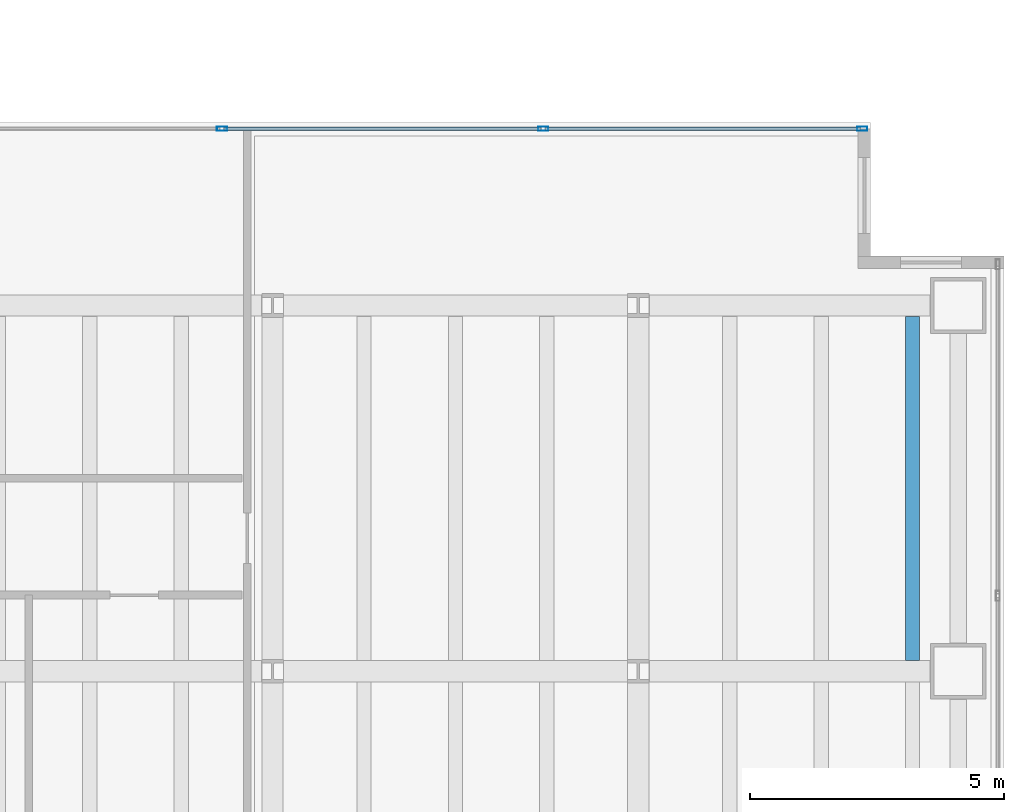
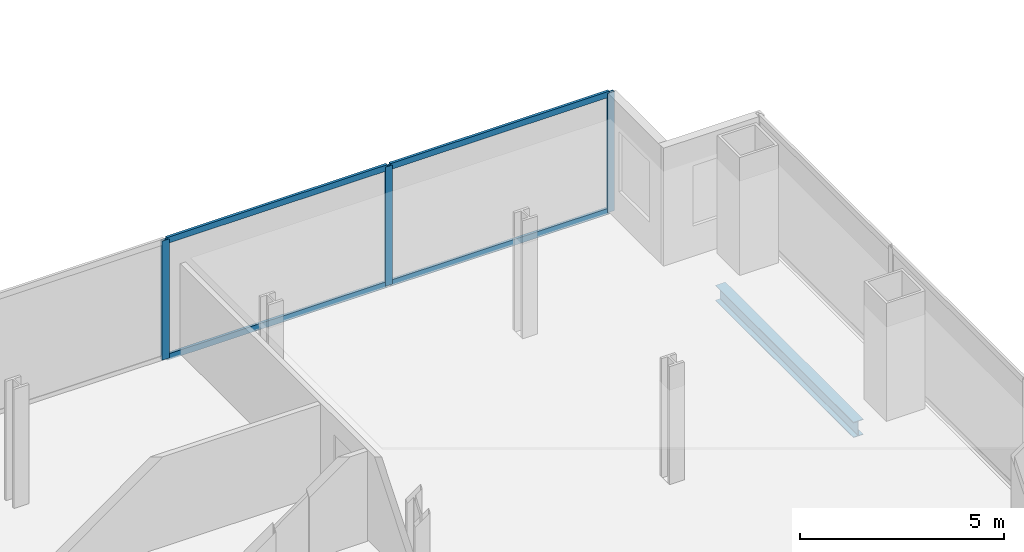
# One storey, part 12 of 25: 7 members, 1 beam, 1 element without a shape of its own.
"""IFC4 building model written with IfcOpenShell, lengths in metres."""

from ifc_helpers import new_model, si_unit, direction, frame, origin, origin_2d, place, context, subcontext, project, spatial, hollow_rectangle, i_section, extrude, material, material_profile, profile_set, type_object, element, aggregate, save


model = new_model("IFC4")

# Units and contexts
model_context = context("Model", 3, precision=1e-05, world=origin(), true_north=direction((0.0, 1.0)))
body_context = subcontext(model_context, "Body", "Model", "MODEL_VIEW")
ifc_project = project(units=[si_unit("LENGTHUNIT", "METRE"), si_unit("AREAUNIT", "SQUARE_METRE"), si_unit("VOLUMEUNIT", "CUBIC_METRE"), si_unit("PLANEANGLEUNIT", "RADIAN"), si_unit("MASSUNIT", "GRAM", prefix="KILO")], contexts=[model_context])

# Site, building, storey
site_placement = place(None, origin())
site = spatial("IfcSite", under=ifc_project, at=site_placement, CompositionType="ELEMENT")
building_placement = place(site_placement, origin())
building = spatial("IfcBuilding", under=site, at=building_placement, Name="Cobrela Telecom Tower", CompositionType="ELEMENT")
storey_placement = place(building_placement, frame((0.0, 0.0, 42.699951171875)))
storey = spatial("IfcBuildingStorey", under=building, at=storey_placement, Name="L10", CompositionType="ELEMENT", Elevation=42.699951171875)

# Beam
ifc_material_1 = material(Name="Steel ASTM A992 Grade 50", Category="steel")
ifc_material_profile_1 = material_profile(ifc_material_1, i_section(OverallWidth=0.281982421875, OverallDepth=0.467041015625, WebThickness=0.01220703125, FlangeThickness=0.01953125, FilletRadius=0.012939453125, at=origin_2d()), Name="W18X86")
ifc_profile_set_1 = profile_set([ifc_material_profile_1], Name="Steel ASTM A992 Grade 50")
beam_type = type_object("IfcBeamType", Name="BM-JOIST-02", PredefinedType="JOIST", material=ifc_profile_set_1)
beam_placement = place(storey_placement, frame((48.60009765625, 14.614501953125, -0.513427734375), z_axis=(0.0, 1.0, 0.0), x_axis=(-1.0, 0.0, 0.0)))
element("IfcBeam", 1, at=beam_placement, inside=storey, type_object=beam_type, Name="L10 Secondary Composite Floor Beam J64", PredefinedType="JOIST", context=body_context, shape_type="SweptSolid", body=[
    extrude(i_section(OverallWidth=0.281982421875, OverallDepth=0.467041015625, WebThickness=0.01220703125, FlangeThickness=0.01953125, FilletRadius=0.012939453125, at=origin_2d()), origin(), (0.0, 0.0, 1.0), 6.77099609375),
])

# Curtain wall, members
ifc_material_2 = material(Name="Anodized Bronze Aluminium 6063-T6", Category="aluminium")
curtain_wall_type = type_object("IfcCurtainWallType", Name="CW-SYS-DATA", PredefinedType="USERDEFINED", material=ifc_material_2)
curtain_wall_placement = place(storey_placement, origin())
curtain_wall = element("IfcCurtainWall", 2, at=curtain_wall_placement, inside=storey, type_object=curtain_wall_type, Name="L10 Unitised Bronze Curtain Wall 11", ObjectType="UNITISED CURTAIN WALL", PredefinedType="USERDEFINED")
ifc_material_profile_2 = material_profile(ifc_material_2, hollow_rectangle(XDim=0.080078125, YDim=0.199951171875, WallThickness=0.00390625, at=origin_2d()), Name="ALU 80x200x4")
ifc_profile_set_2 = profile_set([ifc_material_profile_2], Name="Anodized Bronze Aluminium 6063-T6")
member_type_1 = type_object("IfcMemberType", Name="CW-SYS-DATA-MUL", PredefinedType="MULLION", material=ifc_profile_set_2)
member_1_placement = place(storey_placement, frame((35.00341796875, 25.080078125, 0.0), z_axis=(0.0, 0.0, 1.0), x_axis=(0.0, 1.0, 0.0)))
member_1 = element("IfcMember", 3, at=member_1_placement, type_object=member_type_1, Name="CW-DATA mullion 2", PredefinedType="MULLION", context=body_context, shape_type="SweptSolid", body=[
    extrude(hollow_rectangle(XDim=0.080078125, YDim=0.199951171875, WallThickness=0.00390625, at=origin_2d()), origin(), (0.0, 0.0, 1.0), 3.570068359375),
])
member_2_placement = place(storey_placement, frame((41.32666015625, 25.080078125, 0.0), z_axis=(0.0, 0.0, 1.0), x_axis=(0.0, 1.0, 0.0)))
member_2 = element("IfcMember", 4, at=member_2_placement, type_object=member_type_1, Name="CW-DATA mullion 3", PredefinedType="MULLION", context=body_context, shape_type="SweptSolid", body=[
    extrude(hollow_rectangle(XDim=0.080078125, YDim=0.199951171875, WallThickness=0.00390625, at=origin_2d()), origin(), (0.0, 0.0, 1.0), 3.570068359375),
])
member_3_placement = place(storey_placement, frame((47.610107421875, 25.080078125, 0.0), z_axis=(0.0, 0.0, 1.0), x_axis=(0.0, 1.0, 0.0)))
member_3 = element("IfcMember", 5, at=member_3_placement, type_object=member_type_1, Name="CW-DATA mullion 4", PredefinedType="MULLION", context=body_context, shape_type="SweptSolid", body=[
    extrude(hollow_rectangle(XDim=0.080078125, YDim=0.199951171875, WallThickness=0.00390625, at=origin_2d()), origin(), (0.0, 0.0, 1.0), 3.570068359375),
])
ifc_material_profile_3 = material_profile(ifc_material_2, hollow_rectangle(XDim=0.074951171875, YDim=0.179931640625, WallThickness=0.00390625, at=origin_2d()), Name="ALU 75x180x4")
ifc_profile_set_3 = profile_set([ifc_material_profile_3], Name="Anodized Bronze Aluminium 6063-T6")
member_type_2 = type_object("IfcMemberType", Name="CW-SYS-DATA-TRN", PredefinedType="USERDEFINED", material=ifc_profile_set_3)
member_4_placement = place(storey_placement, frame((35.043212890625, 25.080078125, 0.03759765625), z_axis=(1.0, 0.0, 0.0), x_axis=(0.0, 1.0, 0.0)))
member_4 = element("IfcMember", 6, at=member_4_placement, type_object=member_type_2, Name="CW-DATA transom 2.1", ObjectType="TRANSOM", PredefinedType="USERDEFINED", context=body_context, shape_type="SweptSolid", body=[
    extrude(hollow_rectangle(XDim=0.074951171875, YDim=0.179931640625, WallThickness=0.00390625, at=origin_2d()), origin(), (0.0, 0.0, 1.0), 6.243408203125),
])
member_5_placement = place(storey_placement, frame((35.043212890625, 25.080078125, 3.532470703125), z_axis=(1.0, 0.0, 0.0), x_axis=(0.0, 1.0, 0.0)))
member_5 = element("IfcMember", 7, at=member_5_placement, type_object=member_type_2, Name="CW-DATA transom 2.2", ObjectType="TRANSOM", PredefinedType="USERDEFINED", context=body_context, shape_type="SweptSolid", body=[
    extrude(hollow_rectangle(XDim=0.074951171875, YDim=0.179931640625, WallThickness=0.00390625, at=origin_2d()), origin(), (0.0, 0.0, 1.0), 6.243408203125),
])
member_6_placement = place(storey_placement, frame((41.36669921875, 25.080078125, 0.03759765625), z_axis=(1.0, 0.0, 0.0), x_axis=(0.0, 1.0, 0.0)))
member_6 = element("IfcMember", 8, at=member_6_placement, type_object=member_type_2, Name="CW-DATA transom 3.1", ObjectType="TRANSOM", PredefinedType="USERDEFINED", context=body_context, shape_type="SweptSolid", body=[
    extrude(hollow_rectangle(XDim=0.074951171875, YDim=0.179931640625, WallThickness=0.00390625, at=origin_2d()), origin(), (0.0, 0.0, 1.0), 6.203369140625),
])
member_7_placement = place(storey_placement, frame((41.36669921875, 25.080078125, 3.532470703125), z_axis=(1.0, 0.0, 0.0), x_axis=(0.0, 1.0, 0.0)))
member_7 = element("IfcMember", 9, at=member_7_placement, type_object=member_type_2, Name="CW-DATA transom 3.2", ObjectType="TRANSOM", PredefinedType="USERDEFINED", context=body_context, shape_type="SweptSolid", body=[
    extrude(hollow_rectangle(XDim=0.074951171875, YDim=0.179931640625, WallThickness=0.00390625, at=origin_2d()), origin(), (0.0, 0.0, 1.0), 6.203369140625),
])
aggregate(curtain_wall, [member_1, member_2, member_3, member_4, member_5, member_6, member_7])

save(model, "model.ifc")
